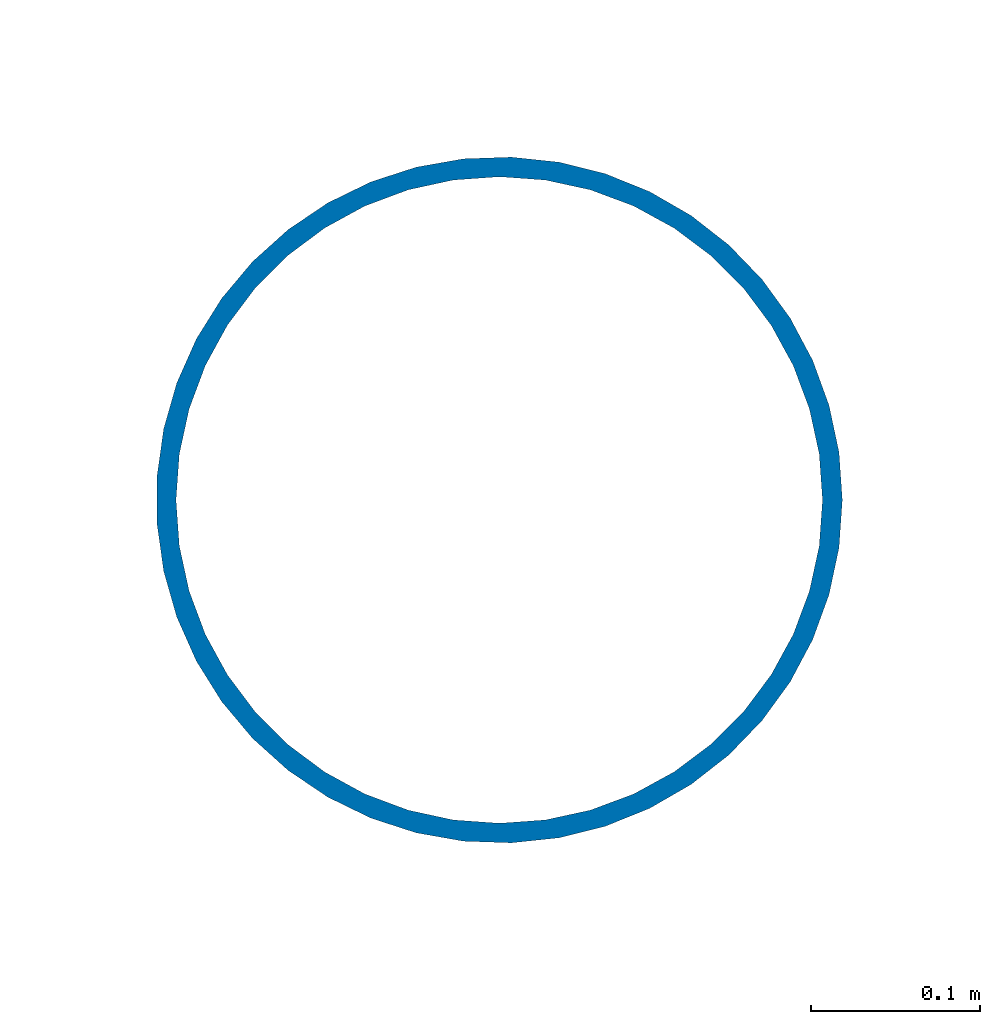
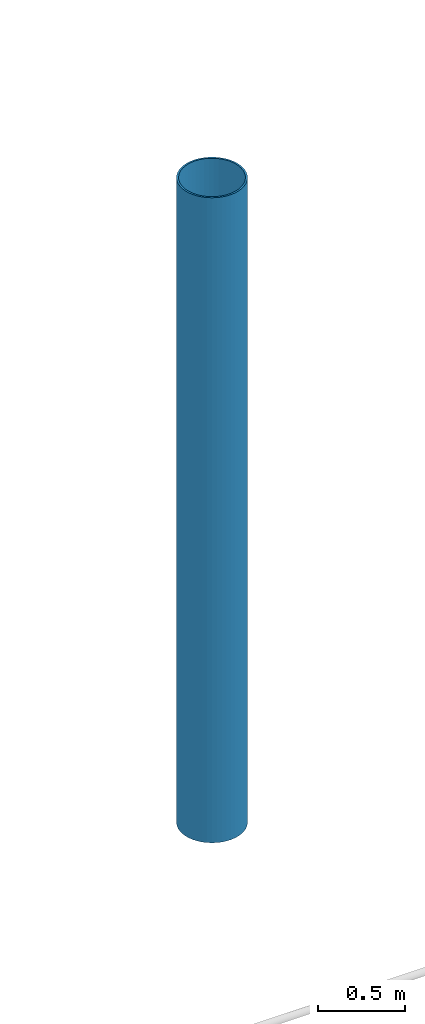
# One storey, part 6 of 75: 1 column.
"""IFC4 building model written with IfcOpenShell, lengths in metres."""

from ifc_helpers import new_model, si_unit, direction, frame, origin, origin_2d, place, context, subcontext, project, spatial, hollow_circle, extrude, material, material_profile, profile_set, type_object, element, save


model = new_model("IFC4")

# Units and contexts
model_context = context("Model", 3, precision=1e-05, world=origin(), true_north=direction((0.0, 1.0)))
body_context = subcontext(model_context, "Body", "Model", "MODEL_VIEW")
ifc_project = project(units=[si_unit("LENGTHUNIT", "METRE"), si_unit("AREAUNIT", "SQUARE_METRE"), si_unit("VOLUMEUNIT", "CUBIC_METRE"), si_unit("PLANEANGLEUNIT", "RADIAN"), si_unit("MASSUNIT", "GRAM", prefix="KILO")], contexts=[model_context])

# Site, building, storey
site_placement = place(None, origin())
site = spatial("IfcSite", under=ifc_project, at=site_placement, CompositionType="ELEMENT")
building_placement = place(site_placement, origin())
building = spatial("IfcBuilding", under=site, at=building_placement, Name="Solmirada Galleria", CompositionType="ELEMENT")
storey_placement = place(building_placement, frame((0.0, 0.0, 19.39990234375)))
storey = spatial("IfcBuildingStorey", under=building, at=storey_placement, Name="L04", CompositionType="ELEMENT", Elevation=19.39990234375)

# Column
ifc_material = material(Name="Steel S355 / ASTM A500 Grade C", Category="steel")
ifc_material_profile = material_profile(ifc_material, hollow_circle(Radius=0.202880859375, WallThickness=0.01171875, at=origin_2d()), Name="HSS16.000X0.500")
ifc_profile_set = profile_set([ifc_material_profile], Name="Steel S355 / ASTM A500 Grade C")
column_type = type_object("IfcColumnType", Name="COL-CHS16", PredefinedType="COLUMN", material=ifc_profile_set)
column_placement = place(storey_placement, frame((144.0, 32.0, 0.0), z_axis=(0.0, 0.0, 1.0), x_axis=(1.0, 0.0, 0.0)))
element("IfcColumn", 1, at=column_placement, inside=storey, type_object=column_type, Name="Structural column L04-1230", PredefinedType="COLUMN", context=body_context, shape_type="SweptSolid", body=[
    extrude(hollow_circle(Radius=0.202880859375, WallThickness=0.01171875, at=origin_2d()), origin(), (0.0, 0.0, 1.0), 4.5),
])

save(model, "model.ifc")
